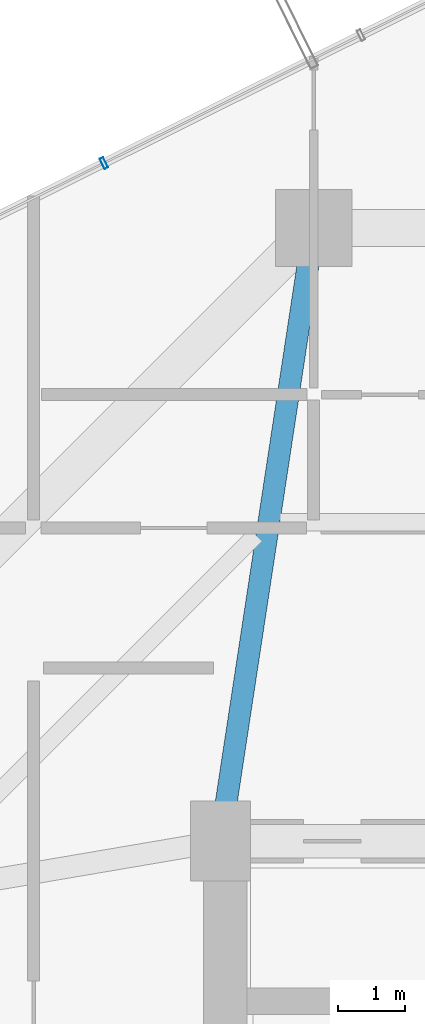
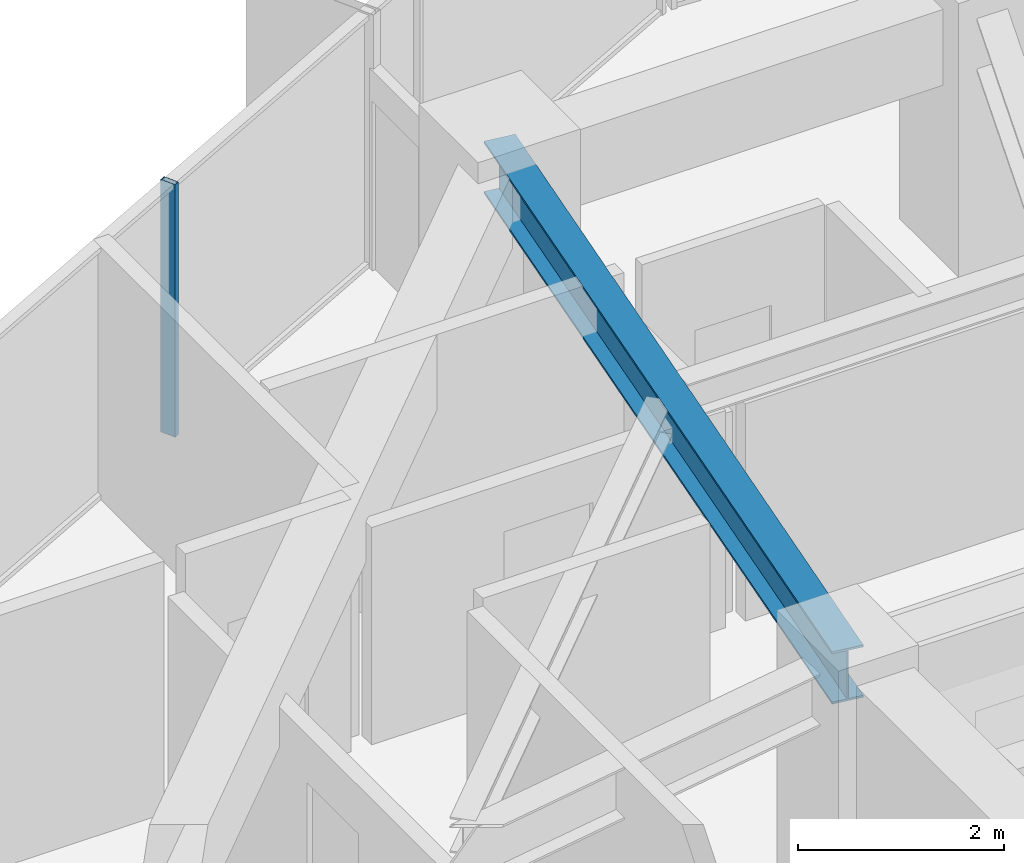
# One storey, part 17 of 30: 1 beam, 1 member, 1 element without a shape of its own.
"""IFC4 building model written with IfcOpenShell, lengths in metres."""

from ifc_helpers import new_model, si_unit, direction, frame, origin, origin_2d, place, context, subcontext, project, spatial, hollow_rectangle, i_section, extrude, source, transform, mapped, material, layer, layer_set, material_profile, profile_set, type_object, element, aggregate, save


model = new_model("IFC4")

# Units and contexts
model_context = context("Model", 3, precision=1e-05, world=origin(), true_north=direction((0.0, 1.0)))
body_context = subcontext(model_context, "Body", "Model", "MODEL_VIEW")
ifc_project = project(units=[si_unit("LENGTHUNIT", "METRE"), si_unit("AREAUNIT", "SQUARE_METRE"), si_unit("VOLUMEUNIT", "CUBIC_METRE"), si_unit("PLANEANGLEUNIT", "RADIAN"), si_unit("MASSUNIT", "GRAM", prefix="KILO")], contexts=[model_context])

# Site, building, storey
site_placement = place(None, origin())
site = spatial("IfcSite", under=ifc_project, at=site_placement, CompositionType="ELEMENT")
building_placement = place(site_placement, origin())
building = spatial("IfcBuilding", under=site, at=building_placement, Name="Veraguas Prism Commons", CompositionType="ELEMENT")
storey_placement = place(building_placement, frame((0.0, 0.0, 116.5)))
storey = spatial("IfcBuildingStorey", under=building, at=storey_placement, Name="L32", CompositionType="ELEMENT", Elevation=116.5)

# Beam
ifc_material_1 = material(Name="Steel ASTM A992 Grade 50", Category="steel")
ifc_material_profile_1 = material_profile(ifc_material_1, i_section(OverallWidth=0.327880859375, OverallDepth=0.6220703125, WebThickness=0.015380859375, FlangeThickness=0.0244140625, at=origin_2d()), Name="W610X195")
ifc_profile_set_1 = profile_set([ifc_material_profile_1], Name="Steel ASTM A992 Grade 50")
beam_type = type_object("IfcBeamType", Name="Zone 2 Radial Girder W610x195", PredefinedType="BEAM", material=ifc_profile_set_1)
beam_placement = place(storey_placement, frame((18.60009765625, 40.199951171875, 2.68896484375), z_axis=(-0.150458162136, -0.98861637729, 0.0), x_axis=(0.98861637729, -0.150458162136, 0.0)))
element("IfcBeam", 1, at=beam_placement, inside=storey, type_object=beam_type, Name="Radial Floor Girder L32-RD06", PredefinedType="BEAM", context=body_context, shape_type="SweptSolid", body=[
    extrude(i_section(OverallWidth=0.327880859375, OverallDepth=0.6220703125, WebThickness=0.015380859375, FlangeThickness=0.0244140625, at=origin_2d()), origin(), (0.0, 0.0, 1.0), 9.305908203125),
])

# Curtain wall, member
ifc_material_2 = material(Name="Anodised aluminium EN AW-6063 T6", Category="aluminium")
ifc_layer = layer(ifc_material_2, 0.169921875, Name="Unitised Flush Curtain Wall Zone 2", Category="aluminium")
ifc_layer_set = layer_set([ifc_layer], Name="Anodised aluminium EN AW-6063 T6")
curtain_wall_type = type_object("IfcCurtainWallType", Name="Unitised Flush Curtain Wall Zone 2", PredefinedType="NOTDEFINED", material=ifc_layer_set)
curtain_wall_placement = place(storey_placement, origin())
curtain_wall = element("IfcCurtainWall", 2, at=curtain_wall_placement, inside=storey, type_object=curtain_wall_type, Name="Tower Facade Curtain Wall L32-F2", PredefinedType="NOTDEFINED")
ifc_material_profile_2 = material_profile(ifc_material_2, hollow_rectangle(XDim=0.06005859375, YDim=0.169921875, WallThickness=0.00390625, at=origin_2d()), Name="AL60X170X4")
ifc_profile_set_2 = profile_set([ifc_material_profile_2], Name="Anodised aluminium EN AW-6063 T6")
member_type = type_object("IfcMemberType", Name="Curtain Wall Mullion Lower AL 60x170x4", PredefinedType="MULLION", material=ifc_profile_set_2)
shared_shape = source(origin(), body_context, "Body", "SweptSolid", [
    extrude(hollow_rectangle(XDim=0.06005859375, YDim=0.169921875, WallThickness=0.00390625, at=origin_2d()), origin(), (0.0, 0.0, 1.0), 3.0),
])
member_placement = place(storey_placement, frame((15.452880859375, 41.173095703125, 0.0), z_axis=(0.0, 0.0, 1.0), x_axis=(-0.895244870652, -0.445574484875, 0.0)))
member = element("IfcMember", 3, at=member_placement, type_object=member_type, Name="CW-Z2 Mullion 3", PredefinedType="MULLION", context=body_context, shape_type="MappedRepresentation", body=[
    mapped(shared_shape, transform((0.0, 0.0, 0.0), scale=1.0)),
])
aggregate(curtain_wall, [member])

save(model, "model.ifc")
